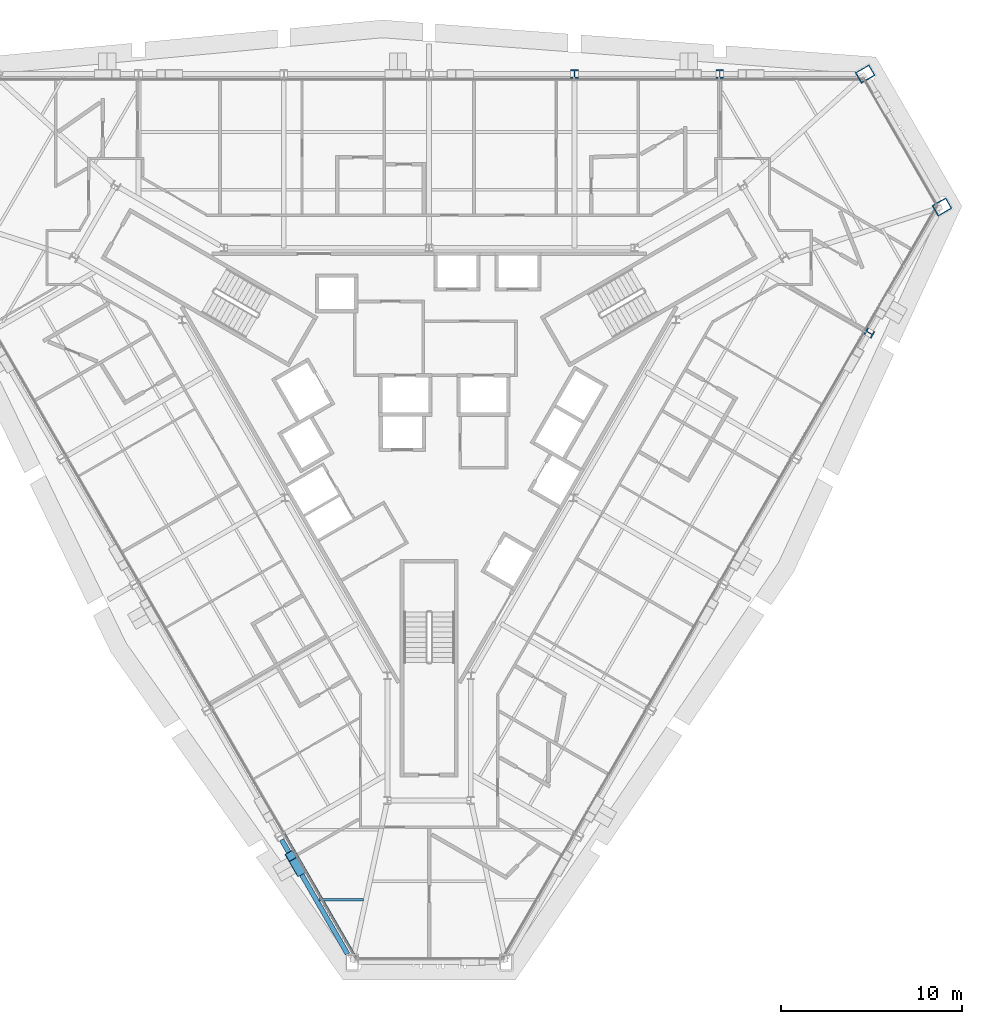
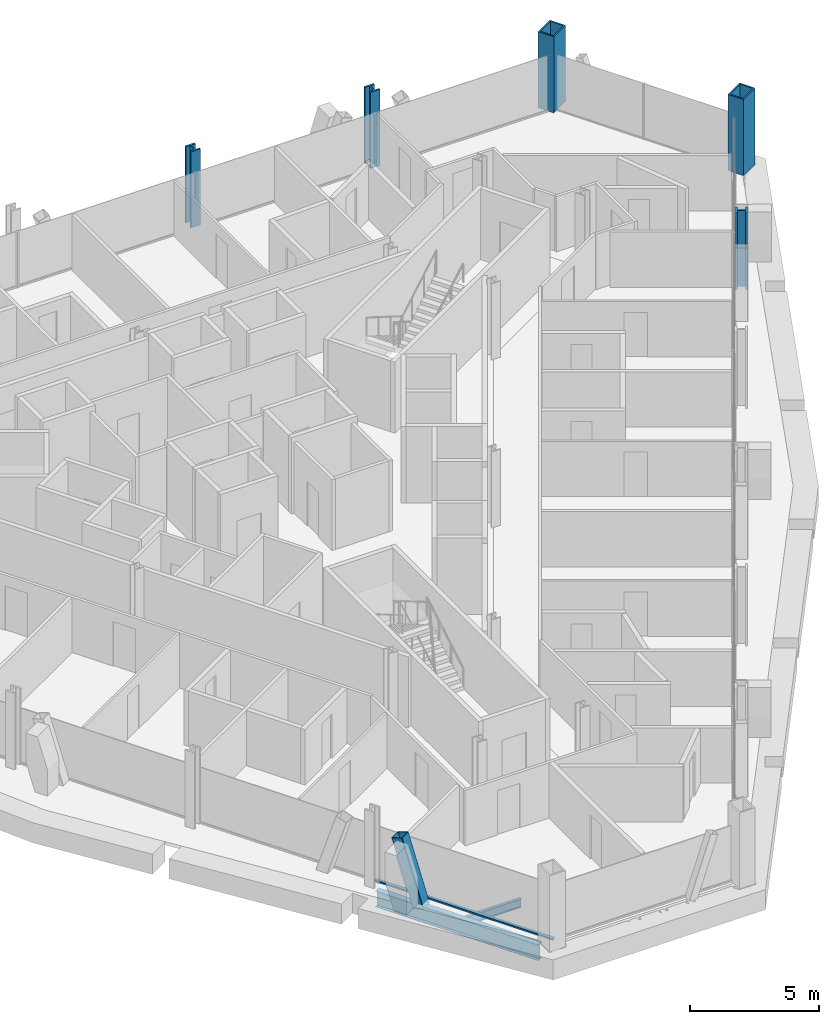
# One storey, part 2 of 16: 5 columns, 2 beams, 2 members, 1 element without a shape of its own.
"""IFC4 building model written with IfcOpenShell, lengths in metres."""

from ifc_helpers import new_model, si_unit, direction, frame, origin, origin_2d, place, context, subcontext, project, spatial, rectangle, hollow_rectangle, i_section, extrude, material, material_profile, profile_set, type_object, element, aggregate, save


model = new_model("IFC4")

# Units and contexts
model_context = context("Model", 3, precision=1e-05, world=origin(), true_north=direction((0.0, 1.0)))
body_context = subcontext(model_context, "Body", "Model", "MODEL_VIEW")
ifc_project = project(units=[si_unit("LENGTHUNIT", "METRE"), si_unit("AREAUNIT", "SQUARE_METRE"), si_unit("VOLUMEUNIT", "CUBIC_METRE"), si_unit("PLANEANGLEUNIT", "RADIAN"), si_unit("MASSUNIT", "GRAM", prefix="KILO")], contexts=[model_context])

# Site, building, storey
site_placement = place(None, origin())
site = spatial("IfcSite", under=ifc_project, at=site_placement, CompositionType="ELEMENT")
building_placement = place(site_placement, origin())
building = spatial("IfcBuilding", under=site, at=building_placement, Name="Verrane Prism Tower", CompositionType="ELEMENT")
storey_placement = place(building_placement, frame((0.0, 0.0, 110.800048828125)))
storey = spatial("IfcBuildingStorey", under=building, at=storey_placement, Name="L26", CompositionType="ELEMENT", Elevation=110.800048828125)

# Columns
ifc_material_1 = material(Name="Steel A572 Grade 50", Category="steel")
ifc_material_profile_1 = material_profile(ifc_material_1, hollow_rectangle(XDim=0.699951171875, YDim=0.89990234375, WallThickness=0.06494140625, at=origin_2d()), Name="BOX 900x700x65")
ifc_profile_set_1 = profile_set([ifc_material_profile_1], Name="Steel A572 Grade 50")
column_type_1 = type_object("IfcColumnType", Name="Megacolumn BOX 900x700x65", PredefinedType="COLUMN", material=ifc_profile_set_1)
for number, where, z_axis, x_axis, name in (
    (1, (24.070068359375, 18.7900390625, 0.0), (0.0, 0.0, 1.0), (0.5, -0.866025403784, 0.0), "Megacolumn MC-NE.b L26"),
    (2, (28.31005859375, 11.449951171875, 0.0), (0.0, 0.0, 1.0), (0.5, -0.866025403784, 0.0), "Megacolumn MC-NE.a L26"),
):
    element("IfcColumn", number, at=place(storey_placement, frame(where, z_axis=z_axis, x_axis=x_axis)), inside=storey, type_object=column_type_1, Name=name, PredefinedType="COLUMN", context=body_context, shape_type="SweptSolid", body=[
        extrude(hollow_rectangle(XDim=0.699951171875, YDim=0.89990234375, WallThickness=0.06494140625, at=origin_2d()), origin(), (0.0, 0.0, 1.0), 3.599853515625),
    ])
ifc_material_2 = material(Name="Steel A992", Category="steel")
ifc_material_profile_2 = material_profile(ifc_material_2, i_section(OverallWidth=0.424072265625, OverallDepth=0.47509765625, WebThickness=0.0478515625, FlangeThickness=0.0771484375, FilletRadius=0.014892578125, at=origin_2d()), Name="W14x426")
ifc_profile_set_2 = profile_set([ifc_material_profile_2], Name="Steel A992")
column_type_2 = type_object("IfcColumnType", Name="Perimeter column W14x426", PredefinedType="COLUMN", material=ifc_profile_set_2)
for number, where, z_axis, x_axis, name in (
    (3, (16.0400390625, 18.7900390625, 0.0), (0.0, 0.0, 1.0), (1.0, 0.0, 0.0), "Perimeter column PC-N1 L26"),
    (4, (8.02001953125, 18.7900390625, 0.0), (0.0, 0.0, 1.0), (1.0, 0.0, 0.0), "Perimeter column PC-N2 L26"),
    (5, (24.300048828125, 4.5, 0.0), (0.0, 0.0, 1.0), (-0.5, -0.866025403784, 0.0), "Perimeter column PC-SE5 L26"),
):
    element("IfcColumn", number, at=place(storey_placement, frame(where, z_axis=z_axis, x_axis=x_axis)), inside=storey, type_object=column_type_2, Name=name, PredefinedType="COLUMN", context=body_context, shape_type="SweptSolid", body=[
        extrude(i_section(OverallWidth=0.424072265625, OverallDepth=0.47509765625, WebThickness=0.0478515625, FlangeThickness=0.0771484375, FilletRadius=0.014892578125, at=origin_2d()), origin(), (0.0, 0.0, 1.0), 3.599853515625),
    ])

# Member
ifc_material_3 = material(Name="Steel A1085 Grade A", Category="steel")
ifc_material_profile_3 = material_profile(ifc_material_3, hollow_rectangle(XDim=0.508056640625, YDim=0.508056640625, WallThickness=0.025390625, InnerFilletRadius=0.0126953125, OuterFilletRadius=0.0380859375, at=origin_2d()), Name="HSS20x20x1")
ifc_profile_set_3 = profile_set([ifc_material_profile_3], Name="Steel A1085 Grade A")
member_type_1 = type_object("IfcMemberType", Name="Facade brace HSS20x20x1", PredefinedType="BRACE", material=ifc_profile_set_3)
member_1_placement = place(storey_placement, frame((-7.1513671875, -25.194091796875, -0.24267578125), z_axis=(-0.151645245186, 0.262769272383, 0.952867267306), x_axis=(-0.866117682712, -0.499840134137, 0.0)))
element("IfcMember", 6, at=member_1_placement, inside=storey, type_object=member_type_1, Name="Facade brace SW5 L26", PredefinedType="BRACE", context=body_context, shape_type="SweptSolid", body=[
    extrude(hollow_rectangle(XDim=0.508056640625, YDim=0.508056640625, WallThickness=0.025390625, InnerFilletRadius=0.0126953125, OuterFilletRadius=0.0380859375, at=origin_2d()), origin(), (0.0, 0.0, 1.0), 3.156982421875),
])

# Beams
ifc_material_4 = material(Name="Steel A992", Category="steel")
ifc_material_profile_4 = material_profile(ifc_material_4, i_section(OverallWidth=0.140380859375, OverallDepth=0.40380859375, WebThickness=0.007080078125, FlangeThickness=0.01123046875, FilletRadius=0.01025390625, at=origin_2d()), Name="W16x31")
ifc_profile_set_4 = profile_set([ifc_material_profile_4], Name="Steel A992")
beam_type_1 = type_object("IfcBeamType", Name="Floor beam W16x31", PredefinedType="BEAM", material=ifc_profile_set_4)
beam_1_placement = place(storey_placement, frame((-6.083984375, -26.776611328125, -0.362060546875), z_axis=(1.0, 0.0, 0.0), x_axis=(0.0, 1.0, 0.0)))
element("IfcBeam", 7, at=beam_1_placement, inside=storey, type_object=beam_type_1, Name="Floor beam L26", PredefinedType="BEAM", context=body_context, shape_type="SweptSolid", body=[
    extrude(i_section(OverallWidth=0.140380859375, OverallDepth=0.40380859375, WebThickness=0.007080078125, FlangeThickness=0.01123046875, FilletRadius=0.01025390625, at=origin_2d()), origin(), (0.0, 0.0, 1.0), 2.458984375),
])
ifc_material_5 = material(Name="Steel A992", Category="steel")
ifc_material_profile_5 = material_profile(ifc_material_5, i_section(OverallWidth=0.2666015625, OverallDepth=0.7568359375, WebThickness=0.013916015625, FlangeThickness=0.019287109375, FilletRadius=0.0166015625, at=origin_2d()), Name="W30x108")
ifc_profile_set_5 = profile_set([ifc_material_profile_5], Name="Steel A992")
beam_type_2 = type_object("IfcBeamType", Name="Spandrel beam W30x108", PredefinedType="SPANDREL", material=ifc_profile_set_5)
beam_2_placement = place(storey_placement, frame((-8.14404296875, -23.4736328125, -0.53857421875), z_axis=(0.499768824934, -0.866158831638, 0.0), x_axis=(0.866158831638, 0.499768824934, 0.0)))
element("IfcBeam", 8, at=beam_2_placement, inside=storey, type_object=beam_type_2, Name="Spandrel beam L26", PredefinedType="SPANDREL", context=body_context, shape_type="SweptSolid", body=[
    extrude(i_section(OverallWidth=0.2666015625, OverallDepth=0.7568359375, WebThickness=0.013916015625, FlangeThickness=0.019287109375, FilletRadius=0.0166015625, at=origin_2d()), origin(), (0.0, 0.0, 1.0), 7.29248046875),
])

# Curtain wall, member
ifc_material_6 = material(Name="Aluminium framed insulated glazing", Category="aluminium")
curtain_wall_type = type_object("IfcCurtainWallType", Name="Curtain wall CW-A 8400 module", PredefinedType="NOTDEFINED", material=ifc_material_6)
curtain_wall_placement = place(storey_placement, origin())
curtain_wall = element("IfcCurtainWall", 9, at=curtain_wall_placement, inside=storey, type_object=curtain_wall_type, Name="Glazed curtain wall south-west face L26", PredefinedType="NOTDEFINED")
ifc_material_7 = material(Name="Aluminium alloy 6063-T6", Category="aluminium")
ifc_material_profile_6 = material_profile(ifc_material_7, rectangle(XDim=0.14990234375, YDim=0.070068359375, at=origin_2d()), Name="Transom 70x150 aluminium")
ifc_profile_set_6 = profile_set([ifc_material_profile_6], Name="Aluminium alloy 6063-T6")
member_type_2 = type_object("IfcMemberType", Name="Transom 70x150 aluminium", PredefinedType="USERDEFINED", material=ifc_profile_set_6)
member_2_placement = place(storey_placement, frame((-8.015380859375, -23.138916015625, 0.034912109375), z_axis=(0.500003777996, -0.866023222546, 0.0), x_axis=(0.866023222546, 0.500003777996, 0.0)))
member_2 = element("IfcMember", 10, at=member_2_placement, type_object=member_type_2, Name="CW24.4 transom 6", ObjectType="TRANSOM", PredefinedType="USERDEFINED", context=body_context, shape_type="SweptSolid", body=[
    extrude(rectangle(XDim=0.14990234375, YDim=0.070068359375, at=origin_2d()), origin(), (0.0, 0.0, 1.0), 7.962890625),
])
aggregate(curtain_wall, [member_2])

save(model, "model.ifc")
